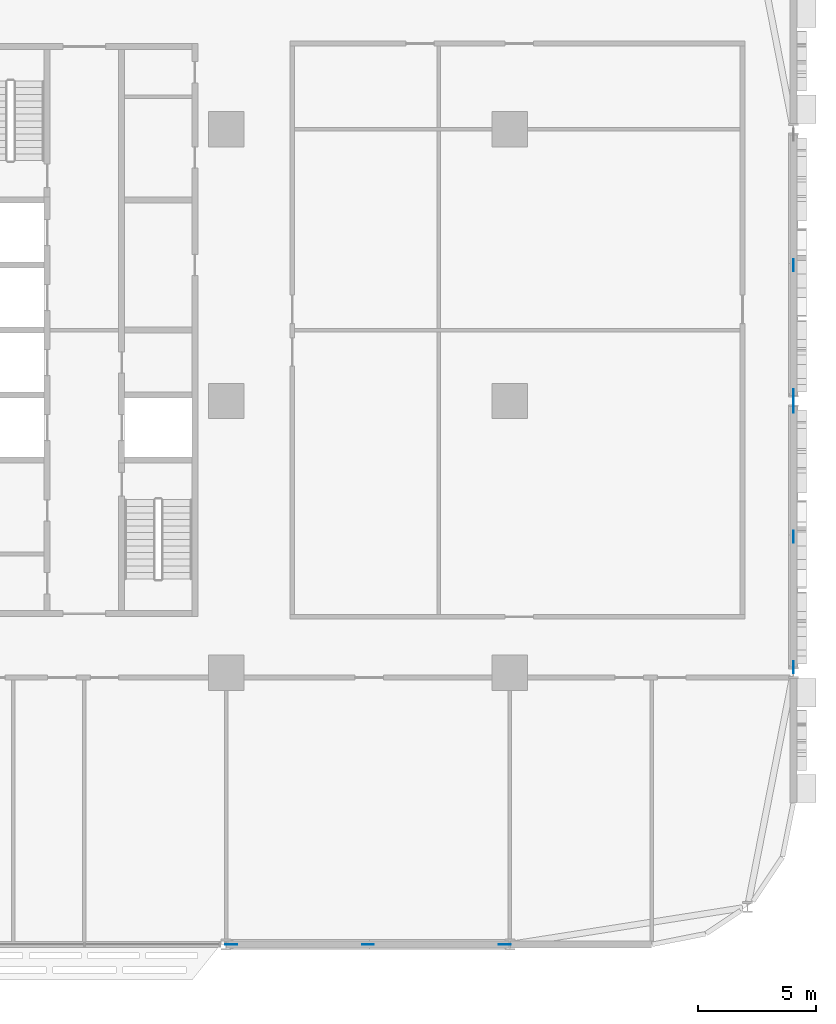
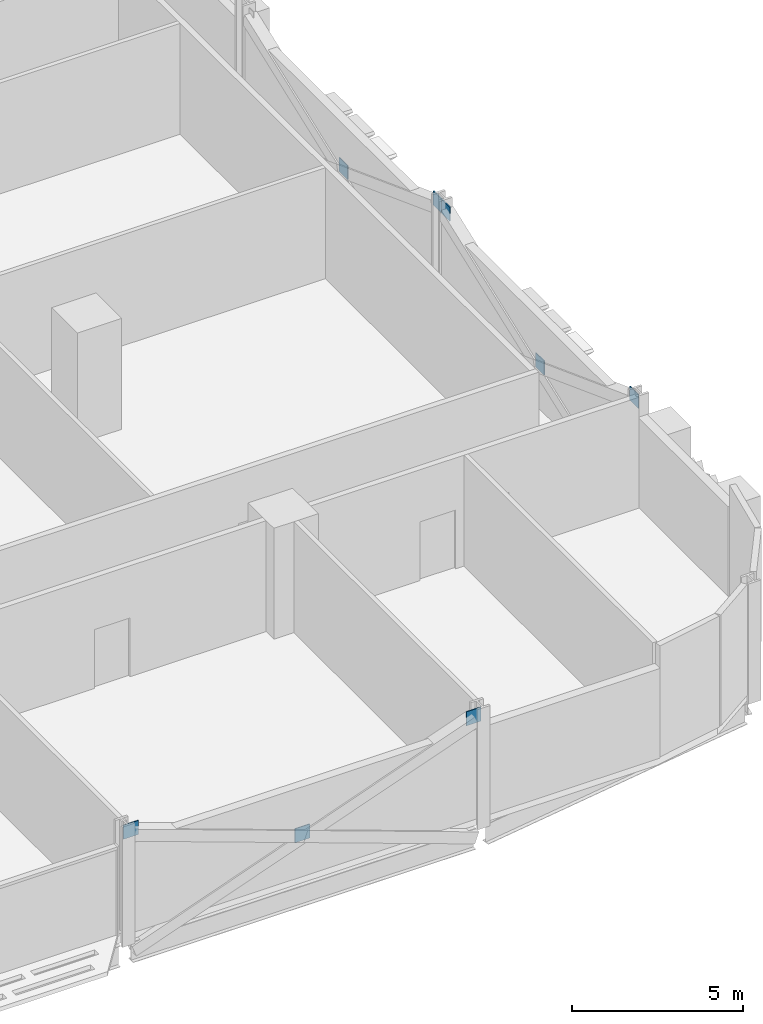
# One storey, part 23 of 30: 8 discrete accessories.
"""IFC4 building model written with IfcOpenShell, lengths in metres."""

import ifcopenshell
import ifcopenshell.guid

model = None  # the IFC model being written
_history = None  # IfcOwnerHistory: only IFC2X3 demands one
_inside = {}  # id of a spatial element -> (the spatial element, [elements in it])
_under = {}  # id of a project, library or spatial element -> (it, [spatial elements below it])
_declared = {}  # id of a project -> (the project, [libraries it declares])
_typed = {}  # id of a type object -> (the type object, [elements of that type])
_made_of = {}  # id of a material, layer set ... -> (it, [elements and type objects made of it])


def new_model(schema):
    """Start an empty IFC model of exactly this schema.

    Asked for "IFC4X3", IfcOpenShell would pick the latest addendum, in which some entities
    have other attributes; the version numbers below select the first issue.
    IFC2X3 requires an IfcOwnerHistory on every rooted entity: one is made here for all.
    """
    global model, _history
    if schema == "IFC4X3":
        model = ifcopenshell.file(schema_version=(4, 3, 0, 0))
    else:
        model = ifcopenshell.file(schema=schema)
    _inside.clear()
    _under.clear()
    _declared.clear()
    _typed.clear()
    _made_of.clear()
    _history = None
    if model.schema == "IFC2X3":
        org = make("IfcOrganization", Name="unknown")
        user = make(
            "IfcPersonAndOrganization",
            ThePerson=make("IfcPerson", FamilyName="unknown"),
            TheOrganization=org,
        )
        app = make(
            "IfcApplication",
            ApplicationDeveloper=org,
            Version="unknown",
            ApplicationFullName="unknown",
            ApplicationIdentifier="unknown",
        )
        _history = make(
            "IfcOwnerHistory",
            OwningUser=user,
            OwningApplication=app,
            ChangeAction="ADDED",
            CreationDate=0,
        )
    return model


def make(cls, **values):
    """One entity of the class cls with the attributes given. An attribute that is None is left unset."""
    return model.create_entity(
        cls, **{name: value for name, value in values.items() if value is not None}
    )


def rooted(cls, **values):
    """An entity with a GlobalId (a new one), such as an element, a storey or a relation."""
    return make(cls, GlobalId=ifcopenshell.guid.new(), OwnerHistory=_history, **values)


def si_unit(unit_type, name, prefix=None):
    """IfcSIUnit, for example si_unit("LENGTHUNIT", "METRE", prefix="MILLI")."""
    return make("IfcSIUnit", UnitType=unit_type, Prefix=prefix, Name=name)


def assignment(units):
    """IfcUnitAssignment: the units of a project."""
    return None if units is None else make("IfcUnitAssignment", Units=units)


def point(xyz):
    """IfcCartesianPoint."""
    return None if xyz is None else make("IfcCartesianPoint", Coordinates=xyz)


def direction(xyz):
    """IfcDirection."""
    return None if xyz is None else make("IfcDirection", DirectionRatios=xyz)


def frame(location, z_axis=None, x_axis=None):
    """IfcAxis2Placement3D, a coordinate frame: its origin and axes. An axis left out is left unset."""
    return make(
        "IfcAxis2Placement3D",
        Location=point(location),
        Axis=direction(z_axis),
        RefDirection=direction(x_axis),
    )


def frame_2d(location, x_axis=None):
    """IfcAxis2Placement2D, a coordinate frame in the plane: its origin and x axis."""
    return make(
        "IfcAxis2Placement2D", Location=point(location), RefDirection=direction(x_axis)
    )


def origin():
    """The frame at (0, 0, 0) with its axes left unset."""
    return frame((0.0, 0.0, 0.0))


def origin_2d():
    """The frame at (0, 0) in the plane with its x axis left unset."""
    return frame_2d((0.0, 0.0))


def place(relative_to, where):
    """IfcLocalPlacement: puts the frame where relative to a parent placement (None: the world)."""
    return make(
        "IfcLocalPlacement", PlacementRelTo=relative_to, RelativePlacement=where
    )


def context(
    kind, dimensions, precision=None, world=None, true_north=None, identifier=None
):
    """IfcGeometricRepresentationContext, for example the 3D "Model" context."""
    return make(
        "IfcGeometricRepresentationContext",
        ContextIdentifier=identifier,
        ContextType=kind,
        CoordinateSpaceDimension=dimensions,
        Precision=precision,
        WorldCoordinateSystem=world,
        TrueNorth=true_north,
    )


def subcontext(parent, identifier, kind, view, scale=None):
    """IfcGeometricRepresentationSubContext, for example "Body" below "Model"."""
    return make(
        "IfcGeometricRepresentationSubContext",
        ContextIdentifier=identifier,
        ContextType=kind,
        ParentContext=parent,
        TargetScale=scale,
        TargetView=view,
    )


def project(units=None, contexts=None):
    """IfcProject with its units and contexts."""
    return rooted(
        "IfcProject",
        Name="project",
        RepresentationContexts=contexts,
        UnitsInContext=assignment(units),
    )


def spatial(cls, under=None, at=None, **own):
    """A site, building, storey or space (cls), placed at a placement, below another one or the project."""
    s = rooted(cls, ObjectPlacement=at, **own)
    if under is not None:
        _under.setdefault(under.id(), (under, []))[1].append(s)
    return s


def profile(cls, at=None, kind="AREA", **sizes):
    """A parametric profile (cls). Its sizes go by their IFC names, for example OverallWidth=200.0."""
    return make(cls, ProfileType=kind, Position=at, **sizes)


def rectangle(**sizes):
    """IfcRectangleProfileDef."""
    return profile("IfcRectangleProfileDef", **sizes)


def extrude(swept, where, along, depth):
    """IfcExtrudedAreaSolid: the profile swept, set in the frame where, extruded along a direction by depth."""
    return make(
        "IfcExtrudedAreaSolid",
        SweptArea=swept,
        Position=where,
        ExtrudedDirection=direction(along),
        Depth=depth,
    )


def shape(context_of_items, identifier, shape_type, items):
    """IfcShapeRepresentation: the items that make up one representation, for example the "Body"."""
    return make(
        "IfcShapeRepresentation",
        ContextOfItems=context_of_items,
        RepresentationIdentifier=identifier,
        RepresentationType=shape_type,
        Items=items,
    )


def material(Name=None, Category=None):
    """IfcMaterial."""
    return make("IfcMaterial", Name=Name, Category=Category)


def layer(
    of_material, thickness, ventilated=None, Name=None, Category=None, Priority=None
):
    """IfcMaterialLayer: one layer of a wall or slab, of a material (None: an air gap)."""
    return make(
        "IfcMaterialLayer",
        Material=of_material,
        LayerThickness=thickness,
        IsVentilated=ventilated,
        Name=Name,
        Category=Category,
        Priority=Priority,
    )


def layer_set(layers, Name=None):
    """IfcMaterialLayerSet."""
    return make("IfcMaterialLayerSet", MaterialLayers=layers, LayerSetName=Name)


def made_of(thing, what):
    """Note that an element or type object is made of a material, layer set ...; save() writes the relation."""
    if what is not None:
        _made_of.setdefault(what.id(), (what, []))[1].append(thing)
    return thing


def type_object(cls, material=None, **own):
    """A type object (cls), such as IfcWallType, which elements share."""
    return made_of(rooted(cls, **own), material)


def element(
    cls,
    number,
    at=None,
    inside=None,
    cuts=None,
    type_object=None,
    material=None,
    context=None,
    identifier="Body",
    shape_type=None,
    held_by="IfcProductDefinitionShape",
    body=None,
    shapes=None,
    **own,
):
    """One element of the class cls, such as IfcWall. Its Tag is "e" and its number.

    at: its placement. inside: the storey or other place that contains it. cuts: it is an
    opening in that element (IfcRelVoidsElement). A single representation is given by context,
    identifier, shape_type and body (its items); several are given by shapes. held_by: the class
    of the entity that holds the representations. save() writes the other relations.
    """
    e = rooted(cls, Tag="e%d" % number, ObjectPlacement=at, **own)
    if body is not None:
        shapes = [shape(context, identifier, shape_type, body)]
    if shapes is not None:
        e.Representation = make(held_by, Representations=shapes)
    if inside is not None:
        _inside.setdefault(inside.id(), (inside, []))[1].append(e)
    if cuts is not None:
        rooted(
            "IfcRelVoidsElement", RelatingBuildingElement=cuts, RelatedOpeningElement=e
        )
    if type_object is not None:
        _typed.setdefault(type_object.id(), (type_object, []))[1].append(e)
    return made_of(e, material)


def aggregate(whole, parts):
    """IfcRelAggregates: a whole, such as a stair, and the parts it consists of."""
    return rooted("IfcRelAggregates", RelatingObject=whole, RelatedObjects=parts)


def save(model, path):
    """Write the relations noted so far, then the file.

    IfcRelAggregates (storeys below a building ...), IfcRelContainedInSpatialStructure (elements
    in a storey), IfcRelDefinesByType, IfcRelAssociatesMaterial and IfcRelDeclares: one each for
    every whole, place, type object, material and project.
    """
    for whole, parts in _under.values():
        aggregate(whole, parts)
    for where, things in _inside.values():
        rooted(
            "IfcRelContainedInSpatialStructure",
            RelatedElements=things,
            RelatingStructure=where,
        )
    for kind, things in _typed.values():
        rooted("IfcRelDefinesByType", RelatedObjects=things, RelatingType=kind)
    for what, things in _made_of.values():
        rooted("IfcRelAssociatesMaterial", RelatedObjects=things, RelatingMaterial=what)
    for by, libraries in _declared.values():
        rooted("IfcRelDeclares", RelatingContext=by, RelatedDefinitions=libraries)
    model.write(path)


model = new_model("IFC4")

# Units and contexts
model_context = context("Model", 3, precision=1e-05, world=origin(), true_north=direction((0.0, 1.0)))
body_context = subcontext(model_context, "Body", "Model", "MODEL_VIEW")
ifc_project = project(units=[si_unit("LENGTHUNIT", "METRE"), si_unit("AREAUNIT", "SQUARE_METRE"), si_unit("VOLUMEUNIT", "CUBIC_METRE"), si_unit("PLANEANGLEUNIT", "RADIAN"), si_unit("MASSUNIT", "GRAM", prefix="KILO")], contexts=[model_context])

# Site, building, storey
site_placement = place(None, origin())
site = spatial("IfcSite", under=ifc_project, at=site_placement, CompositionType="ELEMENT")
building_placement = place(site_placement, origin())
building = spatial("IfcBuilding", under=site, at=building_placement, Name="Mahtab Terrace Research Tower", CompositionType="ELEMENT")
storey_placement = place(building_placement, frame((0.0, 0.0, 50.300048828125)))
storey = spatial("IfcBuildingStorey", under=building, at=storey_placement, Name="L11", CompositionType="ELEMENT", Elevation=50.300048828125)

# Discrete accessories
ifc_material = material(Name="Steel ASTM A992 Gr 50", Category="steel")
ifc_layer = layer(ifc_material, 0.030029296875)
ifc_layer_set = layer_set([ifc_layer], Name="Gusset plate 500x500x30")
discrete_accessory_type = type_object("IfcDiscreteAccessoryType", Name="Gusset plate 500x500x30", PredefinedType="USERDEFINED", material=ifc_layer_set)
for number, where, z_axis, x_axis, name in (
    (1, (30.212158203125, -23.0, 3.33154296875), (0.0, 0.0, 1.0), (1.0, 0.0, 0.0), "Gusset plate"),
    (2, (36.0, -23.0, 1.181396484375), (0.0, 0.0, 1.0), (1.0, 0.0, 0.0), "Gusset plate"),
    (3, (41.787841796875, -23.0, 3.33154296875), (0.0, 0.0, 1.0), (1.0, 0.0, 0.0), "Gusset plate"),
    (4, (54.0, -11.262451171875, 3.33154296875), (0.0, 0.0, 1.0), (0.0, 1.0, 0.0), "Gusset plate"),
    (5, (54.0, -5.75, 1.181396484375), (0.0, 0.0, 1.0), (0.0, 1.0, 0.0), "Gusset plate"),
    (6, (54.0, -0.237548828125, 3.33154296875), (0.0, 0.0, 1.0), (0.0, 1.0, 0.0), "Gusset plate"),
    (7, (54.0, 0.237548828125, 3.33154296875), (0.0, 0.0, 1.0), (0.0, 1.0, 0.0), "Gusset plate"),
    (8, (54.0, 5.75, 1.181396484375), (0.0, 0.0, 1.0), (0.0, 1.0, 0.0), "Gusset plate"),
):
    element("IfcDiscreteAccessory", number, at=place(storey_placement, frame(where, z_axis=z_axis, x_axis=x_axis)), inside=storey, type_object=discrete_accessory_type, Name=name, ObjectType="GUSSET PLATE", PredefinedType="USERDEFINED", context=body_context, shape_type="SweptSolid", body=[
        extrude(rectangle(XDim=0.5, YDim=0.030029296875, at=origin_2d()), origin(), (0.0, 0.0, 1.0), 0.5),
    ])

save(model, "model.ifc")
